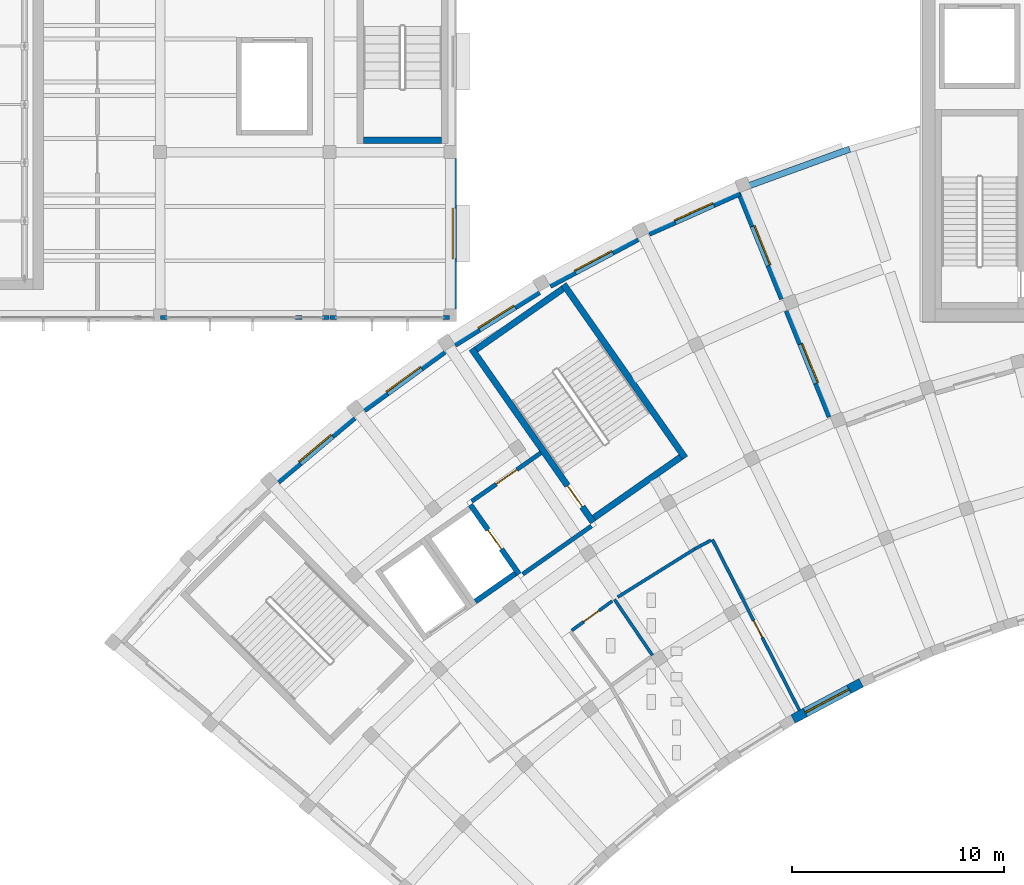
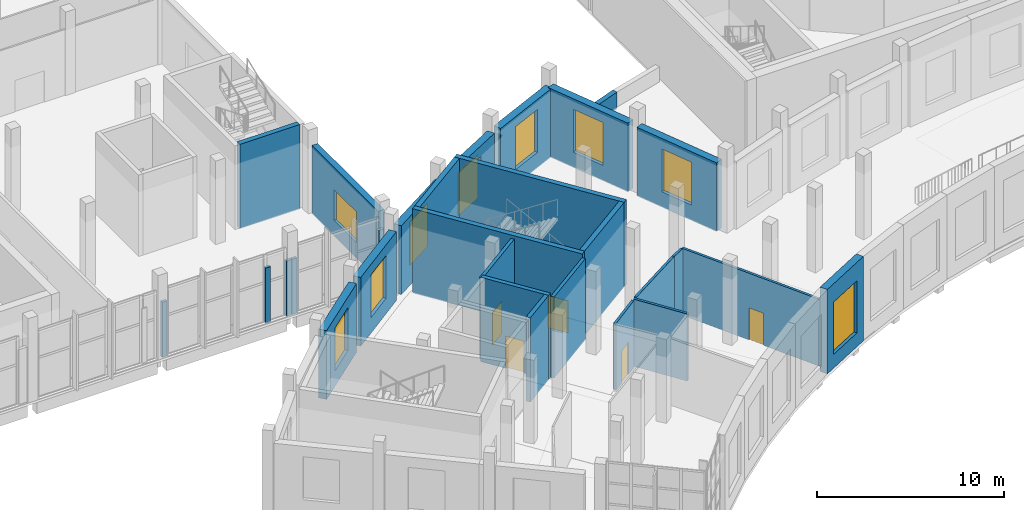
# One storey, part 69 of 132: 29 walls, 9 windows, 5 doors, 14 openings.
"""IFC4 building model written with IfcOpenShell, lengths in metres."""

import ifcopenshell
import ifcopenshell.guid

model = None  # the IFC model being written
_history = None  # IfcOwnerHistory: only IFC2X3 demands one
_inside = {}  # id of a spatial element -> (the spatial element, [elements in it])
_under = {}  # id of a project, library or spatial element -> (it, [spatial elements below it])
_declared = {}  # id of a project -> (the project, [libraries it declares])
_typed = {}  # id of a type object -> (the type object, [elements of that type])
_made_of = {}  # id of a material, layer set ... -> (it, [elements and type objects made of it])


def new_model(schema):
    """Start an empty IFC model of exactly this schema.

    Asked for "IFC4X3", IfcOpenShell would pick the latest addendum, in which some entities
    have other attributes; the version numbers below select the first issue.
    IFC2X3 requires an IfcOwnerHistory on every rooted entity: one is made here for all.
    """
    global model, _history
    if schema == "IFC4X3":
        model = ifcopenshell.file(schema_version=(4, 3, 0, 0))
    else:
        model = ifcopenshell.file(schema=schema)
    _inside.clear()
    _under.clear()
    _declared.clear()
    _typed.clear()
    _made_of.clear()
    _history = None
    if model.schema == "IFC2X3":
        org = make("IfcOrganization", Name="unknown")
        user = make(
            "IfcPersonAndOrganization",
            ThePerson=make("IfcPerson", FamilyName="unknown"),
            TheOrganization=org,
        )
        app = make(
            "IfcApplication",
            ApplicationDeveloper=org,
            Version="unknown",
            ApplicationFullName="unknown",
            ApplicationIdentifier="unknown",
        )
        _history = make(
            "IfcOwnerHistory",
            OwningUser=user,
            OwningApplication=app,
            ChangeAction="ADDED",
            CreationDate=0,
        )
    return model


def make(cls, **values):
    """One entity of the class cls with the attributes given. An attribute that is None is left unset."""
    return model.create_entity(
        cls, **{name: value for name, value in values.items() if value is not None}
    )


def rooted(cls, **values):
    """An entity with a GlobalId (a new one), such as an element, a storey or a relation."""
    return make(cls, GlobalId=ifcopenshell.guid.new(), OwnerHistory=_history, **values)


def si_unit(unit_type, name, prefix=None):
    """IfcSIUnit, for example si_unit("LENGTHUNIT", "METRE", prefix="MILLI")."""
    return make("IfcSIUnit", UnitType=unit_type, Prefix=prefix, Name=name)


def assignment(units):
    """IfcUnitAssignment: the units of a project."""
    return None if units is None else make("IfcUnitAssignment", Units=units)


def point(xyz):
    """IfcCartesianPoint."""
    return None if xyz is None else make("IfcCartesianPoint", Coordinates=xyz)


def direction(xyz):
    """IfcDirection."""
    return None if xyz is None else make("IfcDirection", DirectionRatios=xyz)


def frame(location, z_axis=None, x_axis=None):
    """IfcAxis2Placement3D, a coordinate frame: its origin and axes. An axis left out is left unset."""
    return make(
        "IfcAxis2Placement3D",
        Location=point(location),
        Axis=direction(z_axis),
        RefDirection=direction(x_axis),
    )


def frame_2d(location, x_axis=None):
    """IfcAxis2Placement2D, a coordinate frame in the plane: its origin and x axis."""
    return make(
        "IfcAxis2Placement2D", Location=point(location), RefDirection=direction(x_axis)
    )


def origin():
    """The frame at (0, 0, 0) with its axes left unset."""
    return frame((0.0, 0.0, 0.0))


def place(relative_to, where):
    """IfcLocalPlacement: puts the frame where relative to a parent placement (None: the world)."""
    return make(
        "IfcLocalPlacement", PlacementRelTo=relative_to, RelativePlacement=where
    )


def context(
    kind, dimensions, precision=None, world=None, true_north=None, identifier=None
):
    """IfcGeometricRepresentationContext, for example the 3D "Model" context."""
    return make(
        "IfcGeometricRepresentationContext",
        ContextIdentifier=identifier,
        ContextType=kind,
        CoordinateSpaceDimension=dimensions,
        Precision=precision,
        WorldCoordinateSystem=world,
        TrueNorth=true_north,
    )


def subcontext(parent, identifier, kind, view, scale=None):
    """IfcGeometricRepresentationSubContext, for example "Body" below "Model"."""
    return make(
        "IfcGeometricRepresentationSubContext",
        ContextIdentifier=identifier,
        ContextType=kind,
        ParentContext=parent,
        TargetScale=scale,
        TargetView=view,
    )


def project(units=None, contexts=None):
    """IfcProject with its units and contexts."""
    return rooted(
        "IfcProject",
        Name="project",
        RepresentationContexts=contexts,
        UnitsInContext=assignment(units),
    )


def spatial(cls, under=None, at=None, **own):
    """A site, building, storey or space (cls), placed at a placement, below another one or the project."""
    s = rooted(cls, ObjectPlacement=at, **own)
    if under is not None:
        _under.setdefault(under.id(), (under, []))[1].append(s)
    return s


def profile(cls, at=None, kind="AREA", **sizes):
    """A parametric profile (cls). Its sizes go by their IFC names, for example OverallWidth=200.0."""
    return make(cls, ProfileType=kind, Position=at, **sizes)


def rectangle(**sizes):
    """IfcRectangleProfileDef."""
    return profile("IfcRectangleProfileDef", **sizes)


def extrude(swept, where, along, depth):
    """IfcExtrudedAreaSolid: the profile swept, set in the frame where, extruded along a direction by depth."""
    return make(
        "IfcExtrudedAreaSolid",
        SweptArea=swept,
        Position=where,
        ExtrudedDirection=direction(along),
        Depth=depth,
    )


def shape(context_of_items, identifier, shape_type, items):
    """IfcShapeRepresentation: the items that make up one representation, for example the "Body"."""
    return make(
        "IfcShapeRepresentation",
        ContextOfItems=context_of_items,
        RepresentationIdentifier=identifier,
        RepresentationType=shape_type,
        Items=items,
    )


def material(Name=None, Category=None):
    """IfcMaterial."""
    return make("IfcMaterial", Name=Name, Category=Category)


def layer(
    of_material, thickness, ventilated=None, Name=None, Category=None, Priority=None
):
    """IfcMaterialLayer: one layer of a wall or slab, of a material (None: an air gap)."""
    return make(
        "IfcMaterialLayer",
        Material=of_material,
        LayerThickness=thickness,
        IsVentilated=ventilated,
        Name=Name,
        Category=Category,
        Priority=Priority,
    )


def layer_set(layers, Name=None):
    """IfcMaterialLayerSet."""
    return make("IfcMaterialLayerSet", MaterialLayers=layers, LayerSetName=Name)


def made_of(thing, what):
    """Note that an element or type object is made of a material, layer set ...; save() writes the relation."""
    if what is not None:
        _made_of.setdefault(what.id(), (what, []))[1].append(thing)
    return thing


def type_object(cls, material=None, **own):
    """A type object (cls), such as IfcWallType, which elements share."""
    return made_of(rooted(cls, **own), material)


def element(
    cls,
    number,
    at=None,
    inside=None,
    cuts=None,
    type_object=None,
    material=None,
    context=None,
    identifier="Body",
    shape_type=None,
    held_by="IfcProductDefinitionShape",
    body=None,
    shapes=None,
    **own,
):
    """One element of the class cls, such as IfcWall. Its Tag is "e" and its number.

    at: its placement. inside: the storey or other place that contains it. cuts: it is an
    opening in that element (IfcRelVoidsElement). A single representation is given by context,
    identifier, shape_type and body (its items); several are given by shapes. held_by: the class
    of the entity that holds the representations. save() writes the other relations.
    """
    e = rooted(cls, Tag="e%d" % number, ObjectPlacement=at, **own)
    if body is not None:
        shapes = [shape(context, identifier, shape_type, body)]
    if shapes is not None:
        e.Representation = make(held_by, Representations=shapes)
    if inside is not None:
        _inside.setdefault(inside.id(), (inside, []))[1].append(e)
    if cuts is not None:
        rooted(
            "IfcRelVoidsElement", RelatingBuildingElement=cuts, RelatedOpeningElement=e
        )
    if type_object is not None:
        _typed.setdefault(type_object.id(), (type_object, []))[1].append(e)
    return made_of(e, material)


def fill(opening, filler):
    """IfcRelFillsElement: the door or window that sits in an opening."""
    return rooted(
        "IfcRelFillsElement",
        RelatingOpeningElement=opening,
        RelatedBuildingElement=filler,
    )


def aggregate(whole, parts):
    """IfcRelAggregates: a whole, such as a stair, and the parts it consists of."""
    return rooted("IfcRelAggregates", RelatingObject=whole, RelatedObjects=parts)


def save(model, path):
    """Write the relations noted so far, then the file.

    IfcRelAggregates (storeys below a building ...), IfcRelContainedInSpatialStructure (elements
    in a storey), IfcRelDefinesByType, IfcRelAssociatesMaterial and IfcRelDeclares: one each for
    every whole, place, type object, material and project.
    """
    for whole, parts in _under.values():
        aggregate(whole, parts)
    for where, things in _inside.values():
        rooted(
            "IfcRelContainedInSpatialStructure",
            RelatedElements=things,
            RelatingStructure=where,
        )
    for kind, things in _typed.values():
        rooted("IfcRelDefinesByType", RelatedObjects=things, RelatingType=kind)
    for what, things in _made_of.values():
        rooted("IfcRelAssociatesMaterial", RelatedObjects=things, RelatingMaterial=what)
    for by, libraries in _declared.values():
        rooted("IfcRelDeclares", RelatingContext=by, RelatedDefinitions=libraries)
    model.write(path)


model = new_model("IFC4")

# Units and contexts
model_context = context("Model", 3, precision=1e-05, world=origin(), true_north=direction((0.0, 1.0)))
body_context = subcontext(model_context, "Body", "Model", "MODEL_VIEW")
ifc_project = project(units=[si_unit("LENGTHUNIT", "METRE"), si_unit("AREAUNIT", "SQUARE_METRE"), si_unit("VOLUMEUNIT", "CUBIC_METRE"), si_unit("PLANEANGLEUNIT", "RADIAN"), si_unit("MASSUNIT", "GRAM", prefix="KILO")], contexts=[model_context])

# Site, building, storey
site_placement = place(None, origin())
site = spatial("IfcSite", under=ifc_project, at=site_placement, CompositionType="ELEMENT")
building_placement = place(site_placement, origin())
building = spatial("IfcBuilding", under=site, at=building_placement, Name="Lunette Opera House", CompositionType="ELEMENT")
storey_placement = place(building_placement, frame((0.0, 0.0, 17.0)))
storey = spatial("IfcBuildingStorey", under=building, at=storey_placement, Name="L03", CompositionType="ELEMENT", Elevation=17.0)

# Wall, opening, window
ifc_material_1 = material(Name="Clinker brick", Category="masonry")
ifc_layer_1 = layer(ifc_material_1, 0.449951171875)
ifc_layer_set_1 = layer_set([ifc_layer_1], Name="Clinker brick")
wall_type_1 = type_object("IfcWallType", Name="ARM RAIN SCREEN WALL 450", PredefinedType="SOLIDWALL", material=ifc_layer_set_1)
wall_1_placement = place(storey_placement, frame((45.527099609375, 56.5048828125, 0.0), z_axis=(0.0, 0.0, 1.0), x_axis=(0.765928460401, 0.642925807187, 0.0)))
wall_1 = element("IfcWall", 1, at=wall_1_placement, inside=storey, type_object=wall_type_1, Name="Arm Rain Screen Wall 450 BW-CW03 L03", PredefinedType="SOLIDWALL", context=body_context, shape_type="SweptSolid", body=[
    extrude(rectangle(XDim=4.688232421875, YDim=0.449951171875, at=frame_2d((2.34423828125, 0.0))), origin(), (0.0, 0.0, 1.0), 4.47998046875),
])
opening_1_placement = place(wall_1_placement, frame((1.343994140625, 0.0, 1.0)))
opening_1 = element("IfcOpeningElement", 2, at=opening_1_placement, cuts=wall_1, Name="Opening FC-N2119", PredefinedType="OPENING", context=body_context, shape_type="SweptSolid", body=[
    extrude(rectangle(XDim=2.0, YDim=2.800048828125, at=frame_2d((1.0, 1.39990234375))), frame((0.0, 0.237060546875, 0.0), z_axis=(0.0, -1.0, 0.0), x_axis=(1.0, 0.0, 0.0)), (0.0, 0.0, 1.0), 0.473876953125),
])
ifc_material_2 = material(Name="Aluminium", Category="aluminium")
window_type_1 = type_object("IfcWindowType", Name="ARM WINDOW 2000 X 2800", PartitioningType="DOUBLE_PANEL_VERTICAL", PredefinedType="WINDOW", material=ifc_material_2)
window_1_placement = place(opening_1_placement, origin())
window_1 = element("IfcWindow", 3, at=window_1_placement, inside=storey, type_object=window_type_1, Name="Arm Window 2000 X 2800 BW-CW03 L03", OverallHeight=2.800048828125, OverallWidth=2.0, PartitioningType="DOUBLE_PANEL_VERTICAL", PredefinedType="WINDOW", context=body_context, shape_type="SweptSolid", body=[
    extrude(rectangle(XDim=2.0, YDim=2.800048828125, at=frame_2d((1.0, 1.39990234375))), frame((0.0, 0.030029296875, 0.0), z_axis=(0.0, -1.0, 0.0), x_axis=(1.0, 0.0, 0.0)), (0.0, 0.0, 1.0), 0.06005859375),
])
fill(opening_1, window_1)

wall_2_placement = place(storey_placement, frame((49.591064453125, 59.887939453125, 0.0), z_axis=(0.0, 0.0, 1.0), x_axis=(0.808981453193, 0.587834167423, 0.0)))
wall_2 = element("IfcWall", 4, at=wall_2_placement, inside=storey, type_object=wall_type_1, Name="Arm Rain Screen Wall 450 BW-CW04 L03", PredefinedType="SOLIDWALL", context=body_context, shape_type="SweptSolid", body=[
    extrude(rectangle(XDim=4.6884765625, YDim=0.449951171875, at=frame_2d((2.34423828125, 0.0))), origin(), (0.0, 0.0, 1.0), 4.47998046875),
])
opening_2_placement = place(wall_2_placement, frame((1.343994140625, 0.0, 1.0)))
opening_2 = element("IfcOpeningElement", 5, at=opening_2_placement, cuts=wall_2, Name="Opening FC-N2124", PredefinedType="OPENING", context=body_context, shape_type="SweptSolid", body=[
    extrude(rectangle(XDim=2.0, YDim=2.800048828125, at=frame_2d((1.0, 1.39990234375))), frame((0.0, 0.237060546875, 0.0), z_axis=(0.0, -1.0, 0.0), x_axis=(1.0, 0.0, 0.0)), (0.0, 0.0, 1.0), 0.473876953125),
])
window_2_placement = place(opening_2_placement, origin())
window_2 = element("IfcWindow", 6, at=window_2_placement, inside=storey, type_object=window_type_1, Name="Arm Window 2000 X 2800 BW-CW04 L03", OverallHeight=2.800048828125, OverallWidth=2.0, PartitioningType="DOUBLE_PANEL_VERTICAL", PredefinedType="WINDOW", context=body_context, shape_type="SweptSolid", body=[
    extrude(rectangle(XDim=2.0, YDim=2.800048828125, at=frame_2d((1.0, 1.39990234375))), frame((0.0, 0.030029296875, 0.0), z_axis=(0.0, -1.0, 0.0), x_axis=(1.0, 0.0, 0.0)), (0.0, 0.0, 1.0), 0.06005859375),
])
fill(opening_2, window_2)

wall_3_placement = place(storey_placement, frame((53.881103515625, 62.97900390625, 0.0), z_axis=(0.0, 0.0, 1.0), x_axis=(0.848094792162, 0.529844527676, 0.0)))
wall_3 = element("IfcWall", 7, at=wall_3_placement, inside=storey, type_object=wall_type_1, Name="Arm Rain Screen Wall 450 BW-CW05 L03", PredefinedType="SOLIDWALL", context=body_context, shape_type="SweptSolid", body=[
    extrude(rectangle(XDim=4.690185546875, YDim=0.449951171875, at=frame_2d((2.34521484375, 0.0))), origin(), (0.0, 0.0, 1.0), 4.47998046875),
])
opening_3_placement = place(wall_3_placement, frame((1.344970703125, 0.0, 1.0)))
opening_3 = element("IfcOpeningElement", 8, at=opening_3_placement, cuts=wall_3, Name="Opening FC-N2128", PredefinedType="OPENING", context=body_context, shape_type="SweptSolid", body=[
    extrude(rectangle(XDim=2.0, YDim=2.800048828125, at=frame_2d((1.0, 1.39990234375))), frame((0.0, 0.237060546875, 0.0), z_axis=(0.0, -1.0, 0.0), x_axis=(1.0, 0.0, 0.0)), (0.0, 0.0, 1.0), 0.473876953125),
])
window_3_placement = place(opening_3_placement, origin())
window_3 = element("IfcWindow", 9, at=window_3_placement, inside=storey, type_object=window_type_1, Name="Arm Window 2000 X 2800 BW-CW05 L03", OverallHeight=2.800048828125, OverallWidth=2.0, PartitioningType="DOUBLE_PANEL_VERTICAL", PredefinedType="WINDOW", context=body_context, shape_type="SweptSolid", body=[
    extrude(rectangle(XDim=2.0, YDim=2.800048828125, at=frame_2d((1.0, 1.39990234375))), frame((0.0, 0.030029296875, 0.0), z_axis=(0.0, -1.0, 0.0), x_axis=(1.0, 0.0, 0.0)), (0.0, 0.0, 1.0), 0.06005859375),
])
fill(opening_3, window_3)

wall_4_placement = place(storey_placement, frame((58.3779296875, 65.763916015625, 0.0), z_axis=(0.0, 0.0, 1.0), x_axis=(0.882917406039, 0.469528331535, 0.0)))
wall_4 = element("IfcWall", 10, at=wall_4_placement, inside=storey, type_object=wall_type_1, Name="Arm Rain Screen Wall 450 BW-CW06 L03", PredefinedType="SOLIDWALL", context=body_context, shape_type="SweptSolid", body=[
    extrude(rectangle(XDim=4.68798828125, YDim=0.449951171875, at=frame_2d((2.343994140625, 0.0))), origin(), (0.0, 0.0, 1.0), 4.47998046875),
])
opening_4_placement = place(wall_4_placement, frame((1.343994140625, 0.0, 1.0)))
opening_4 = element("IfcOpeningElement", 11, at=opening_4_placement, cuts=wall_4, Name="Opening FC-N2133", PredefinedType="OPENING", context=body_context, shape_type="SweptSolid", body=[
    extrude(rectangle(XDim=2.0, YDim=2.800048828125, at=frame_2d((1.0, 1.39990234375))), frame((0.0, 0.237060546875, 0.0), z_axis=(0.0, -1.0, 0.0), x_axis=(1.0, 0.0, 0.0)), (0.0, 0.0, 1.0), 0.473876953125),
])
window_4_placement = place(opening_4_placement, origin())
window_4 = element("IfcWindow", 12, at=window_4_placement, inside=storey, type_object=window_type_1, Name="Arm Window 2000 X 2800 BW-CW06 L03", OverallHeight=2.800048828125, OverallWidth=2.0, PartitioningType="DOUBLE_PANEL_VERTICAL", PredefinedType="WINDOW", context=body_context, shape_type="SweptSolid", body=[
    extrude(rectangle(XDim=2.0, YDim=2.800048828125, at=frame_2d((1.0, 1.39990234375))), frame((0.0, 0.030029296875, 0.0), z_axis=(0.0, -1.0, 0.0), x_axis=(1.0, 0.0, 0.0)), (0.0, 0.0, 1.0), 0.06005859375),
])
fill(opening_4, window_4)

wall_5_placement = place(storey_placement, frame((63.055908203125, 68.22802734375, 0.0), z_axis=(0.0, 0.0, 1.0), x_axis=(0.913581686159, 0.406655262741, 0.0)))
wall_5 = element("IfcWall", 13, at=wall_5_placement, inside=storey, type_object=wall_type_1, Name="Arm Rain Screen Wall 450 BW-CW07 L03", PredefinedType="SOLIDWALL", context=body_context, shape_type="SweptSolid", body=[
    extrude(rectangle(XDim=4.689453125, YDim=0.449951171875, at=frame_2d((2.3447265625, 0.0))), origin(), (0.0, 0.0, 1.0), 4.449951171875),
])
opening_5_placement = place(wall_5_placement, frame((1.344970703125, 0.0, 1.0)))
opening_5 = element("IfcOpeningElement", 14, at=opening_5_placement, cuts=wall_5, Name="Opening FC-N2138", PredefinedType="OPENING", context=body_context, shape_type="SweptSolid", body=[
    extrude(rectangle(XDim=2.0, YDim=2.800048828125, at=frame_2d((1.0, 1.39990234375))), frame((0.0, 0.237060546875, 0.0), z_axis=(0.0, -1.0, 0.0), x_axis=(1.0, 0.0, 0.0)), (0.0, 0.0, 1.0), 0.473876953125),
])
window_5_placement = place(opening_5_placement, origin())
window_5 = element("IfcWindow", 15, at=window_5_placement, inside=storey, type_object=window_type_1, Name="Arm Window 2000 X 2800 BW-CW07 L03", OverallHeight=2.800048828125, OverallWidth=2.0, PartitioningType="DOUBLE_PANEL_VERTICAL", PredefinedType="WINDOW", context=body_context, shape_type="SweptSolid", body=[
    extrude(rectangle(XDim=2.0, YDim=2.800048828125, at=frame_2d((1.0, 1.39990234375))), frame((0.0, 0.030029296875, 0.0), z_axis=(0.0, -1.0, 0.0), x_axis=(1.0, 0.0, 0.0)), (0.0, 0.0, 1.0), 0.06005859375),
])
fill(opening_5, window_5)

ifc_material_3 = material(Name="Clinker brick", Category="masonry")
ifc_layer_2 = layer(ifc_material_3, 0.449951171875)
ifc_layer_set_2 = layer_set([ifc_layer_2], Name="Clinker brick")
wall_type_2 = type_object("IfcWallType", Name="ARM REAR WALL 450", PredefinedType="SOLIDWALL", material=ifc_layer_set_2)
wall_6_placement = place(storey_placement, frame((71.7041015625, 59.533935546875, 0.0), z_axis=(0.0, 0.0, 1.0), x_axis=(-0.374638700041, 0.927170882001, 0.0)))
wall_6 = element("IfcWall", 16, at=wall_6_placement, inside=storey, type_object=wall_type_2, Name="Arm Rear Wall 450 F02 L03", PredefinedType="SOLIDWALL", context=body_context, shape_type="SweptSolid", body=[
    extrude(rectangle(XDim=5.400390625, YDim=0.449951171875, at=frame_2d((2.7001953125, 0.0))), origin(), (0.0, 0.0, 1.0), 4.47998046875),
])
opening_6_placement = place(wall_6_placement, frame((1.699951171875, 0.0, 1.0)))
opening_6 = element("IfcOpeningElement", 17, at=opening_6_placement, cuts=wall_6, Name="Opening FC-N2178", PredefinedType="OPENING", context=body_context, shape_type="SweptSolid", body=[
    extrude(rectangle(XDim=2.0, YDim=2.800048828125, at=frame_2d((1.0, 1.39990234375))), frame((0.0, 0.237060546875, 0.0), z_axis=(0.0, -1.0, 0.0), x_axis=(1.0, 0.0, 0.0)), (0.0, 0.0, 1.0), 0.473876953125),
])
window_6_placement = place(opening_6_placement, origin())
window_6 = element("IfcWindow", 18, at=window_6_placement, inside=storey, type_object=window_type_1, Name="Arm Window 2000 X 2800 F02 L03", OverallHeight=2.800048828125, OverallWidth=2.0, PartitioningType="DOUBLE_PANEL_VERTICAL", PredefinedType="WINDOW", context=body_context, shape_type="SweptSolid", body=[
    extrude(rectangle(XDim=2.0, YDim=2.800048828125, at=frame_2d((1.0, 1.39990234375))), frame((0.0, 0.030029296875, 0.0), z_axis=(0.0, -1.0, 0.0), x_axis=(1.0, 0.0, 0.0)), (0.0, 0.0, 1.0), 0.06005859375),
])
fill(opening_6, window_6)

wall_7_placement = place(storey_placement, frame((69.45703125, 65.096923828125, 0.0), z_axis=(0.0, 0.0, 1.0), x_axis=(-0.374755279764, 0.927123767514, 0.0)))
wall_7 = element("IfcWall", 19, at=wall_7_placement, inside=storey, type_object=wall_type_2, Name="Arm Rear Wall 450 F03 L03", PredefinedType="SOLIDWALL", context=body_context, shape_type="SweptSolid", body=[
    extrude(rectangle(XDim=5.400634765625, YDim=0.449951171875, at=frame_2d((2.7001953125, 0.0))), origin(), (0.0, 0.0, 1.0), 4.47998046875),
])
opening_7_placement = place(wall_7_placement, frame((1.699951171875, 0.0, 1.0)))
opening_7 = element("IfcOpeningElement", 20, at=opening_7_placement, cuts=wall_7, Name="Opening FC-N2179", PredefinedType="OPENING", context=body_context, shape_type="SweptSolid", body=[
    extrude(rectangle(XDim=2.0, YDim=2.800048828125, at=frame_2d((1.0, 1.39990234375))), frame((0.0, 0.237060546875, 0.0), z_axis=(0.0, -1.0, 0.0), x_axis=(1.0, 0.0, 0.0)), (0.0, 0.0, 1.0), 0.473876953125),
])
window_7_placement = place(opening_7_placement, origin())
window_7 = element("IfcWindow", 21, at=window_7_placement, inside=storey, type_object=window_type_1, Name="Arm Window 2000 X 2800 F03 L03", OverallHeight=2.800048828125, OverallWidth=2.0, PartitioningType="DOUBLE_PANEL_VERTICAL", PredefinedType="WINDOW", context=body_context, shape_type="SweptSolid", body=[
    extrude(rectangle(XDim=2.0, YDim=2.800048828125, at=frame_2d((1.0, 1.39990234375))), frame((0.0, 0.030029296875, 0.0), z_axis=(0.0, -1.0, 0.0), x_axis=(1.0, 0.0, 0.0)), (0.0, 0.0, 1.0), 0.06005859375),
])
fill(opening_7, window_7)

# Wall, opening, door
ifc_material_4 = material(Name="Plastered clay blockwork", Category="masonry")
ifc_layer_3 = layer(ifc_material_4, 0.14990234375)
ifc_layer_set_3 = layer_set([ifc_layer_3], Name="Plastered clay blockwork")
wall_type_3 = type_object("IfcWallType", Name="BLOCK PARTITION 150", PredefinedType="PARTITIONING", material=ifc_layer_set_3)
wall_8_placement = place(storey_placement, frame((70.18603515625, 45.64208984375, 0.0), z_axis=(0.0, 0.0, 1.0), x_axis=(-0.454012704695, 0.89099520985, 0.0)))
wall_8 = element("IfcWall", 22, at=wall_8_placement, inside=storey, type_object=wall_type_3, Name="Partition Public WC L03", PredefinedType="PARTITIONING", context=body_context, shape_type="SweptSolid", body=[
    extrude(rectangle(XDim=9.0458984375, YDim=0.14990234375, at=frame_2d((4.52294921875, 0.0))), origin(), (0.0, 0.0, 1.0), 4.35009765625),
])
opening_8_placement = place(wall_8_placement, frame((3.85107421875, 0.0, 0.0)))
opening_8 = element("IfcOpeningElement", 23, at=opening_8_placement, cuts=wall_8, Name="Opening FC-D3042", PredefinedType="OPENING", context=body_context, shape_type="SweptSolid", body=[
    extrude(rectangle(XDim=0.89990234375, YDim=2.10009765625, at=frame_2d((0.449951171875, 1.050048828125))), frame((0.0, 0.0869140625, 0.0), z_axis=(0.0, -1.0, 0.0), x_axis=(1.0, 0.0, 0.0)), (0.0, 0.0, 1.0), 0.173828125),
])
ifc_material_5 = material(Name="Timber", Category="wood")
door_type_1 = type_object("IfcDoorType", Name="FLUSH DOOR 900 X 2100", OperationType="SINGLE_SWING_LEFT", PredefinedType="DOOR", material=ifc_material_5)
door_1_placement = place(opening_8_placement, origin())
door_1 = element("IfcDoor", 24, at=door_1_placement, inside=storey, type_object=door_type_1, Name="Public WC L03 door", OperationType="SINGLE_SWING_LEFT", OverallHeight=2.10009765625, OverallWidth=0.89990234375, PredefinedType="DOOR", context=body_context, shape_type="SweptSolid", body=[
    extrude(rectangle(XDim=0.89990234375, YDim=2.10009765625, at=frame_2d((0.449951171875, 1.050048828125))), frame((0.0, 0.02490234375, 0.0), z_axis=(0.0, -1.0, 0.0), x_axis=(1.0, 0.0, 0.0)), (0.0, 0.0, 1.0), 0.050048828125),
])
fill(opening_8, door_1)

# Walls
wall_9_placement = place(storey_placement, frame((65.25, 53.260986328125, 0.0), z_axis=(0.0, 0.0, 1.0), x_axis=(-0.848001499411, -0.52999382732, 0.0)))
element("IfcWall", 25, at=wall_9_placement, inside=storey, type_object=wall_type_3, Name="Partition Public WC L03", PredefinedType="PARTITIONING", context=body_context, shape_type="SweptSolid", body=[
    extrude(rectangle(XDim=4.292236328125, YDim=0.14990234375, at=frame_2d((2.14599609375, 0.0))), origin(), (0.0, 0.0, 1.0), 4.35009765625),
])
wall_10_placement = place(storey_placement, frame((63.25, 48.23291015625, 0.0), z_axis=(0.0, 0.0, 1.0), x_axis=(-0.561879086492, 0.827219373663, 0.0)))
element("IfcWall", 26, at=wall_10_placement, inside=storey, type_object=wall_type_3, Name="Partition Accessible WC L03", PredefinedType="PARTITIONING", context=body_context, shape_type="SweptSolid", body=[
    extrude(rectangle(XDim=3.19287109375, YDim=0.14990234375, at=frame_2d((1.596435546875, 0.0))), origin(), (0.0, 0.0, 1.0), 4.3798828125),
])

# Wall, opening, door
wall_11_placement = place(storey_placement, frame((61.35009765625, 50.797119140625, 0.0), z_axis=(0.0, 0.0, 1.0), x_axis=(-0.80908456518, -0.587692237815, 0.0)))
wall_11 = element("IfcWall", 27, at=wall_11_placement, inside=storey, type_object=wall_type_3, Name="Partition Accessible WC L03", PredefinedType="PARTITIONING", context=body_context, shape_type="SweptSolid", body=[
    extrude(rectangle(XDim=2.362060546875, YDim=0.14990234375, at=frame_2d((1.18115234375, 0.0))), origin(), (0.0, 0.0, 1.0), 4.35009765625),
])
opening_9_placement = place(wall_11_placement, frame((0.76904296875, 0.0, 0.0)))
opening_9 = element("IfcOpeningElement", 28, at=opening_9_placement, cuts=wall_11, Name="Opening FC-D3043", PredefinedType="OPENING", context=body_context, shape_type="SweptSolid", body=[
    extrude(rectangle(XDim=0.89990234375, YDim=2.10009765625, at=frame_2d((0.449951171875, 1.050048828125))), frame((0.0, 0.0869140625, 0.0), z_axis=(0.0, -1.0, 0.0), x_axis=(1.0, 0.0, 0.0)), (0.0, 0.0, 1.0), 0.173828125),
])
door_2_placement = place(opening_9_placement, origin())
door_2 = element("IfcDoor", 29, at=door_2_placement, inside=storey, type_object=door_type_1, Name="Accessible WC L03 door", OperationType="SINGLE_SWING_RIGHT", OverallHeight=2.10009765625, OverallWidth=0.89990234375, PredefinedType="DOOR", context=body_context, shape_type="SweptSolid", body=[
    extrude(rectangle(XDim=0.89990234375, YDim=2.10009765625, at=frame_2d((0.449951171875, 1.050048828125))), frame((0.0, 0.02490234375, 0.0), z_axis=(0.0, -1.0, 0.0), x_axis=(1.0, 0.0, 0.0)), (0.0, 0.0, 1.0), 0.050048828125),
])
fill(opening_9, door_2)

# Wall
wall_12_placement = place(storey_placement, frame((66.011962890625, 53.6669921875, 0.0), z_axis=(0.0, 0.0, 1.0), x_axis=(-0.882532911679, -0.470250635092, 0.0)))
element("IfcWall", 30, at=wall_12_placement, inside=storey, type_object=wall_type_3, Name="Partition Public WC L03", PredefinedType="PARTITIONING", context=body_context, shape_type="SweptSolid", body=[
    extrude(rectangle(XDim=0.86328125, YDim=0.14990234375, at=frame_2d((0.431640625, 0.0))), origin(), (0.0, 0.0, 1.0), 4.35009765625),
])

# Wall, opening, window
ifc_material_6 = material(Name="Clinker brick", Category="masonry")
ifc_layer_4 = layer(ifc_material_6, 0.449951171875)
ifc_layer_set_4 = layer_set([ifc_layer_4], Name="Clinker brick")
wall_type_4 = type_object("IfcWallType", Name="CRESCENT BRICK WALL 450", PredefinedType="SOLIDWALL", material=ifc_layer_set_4)
wall_13_placement = place(storey_placement, frame((69.887939453125, 45.22802734375, 0.0), z_axis=(0.0, 0.0, 1.0), x_axis=(0.882849344925, 0.469656293651, 0.0)))
wall_13 = element("IfcWall", 31, at=wall_13_placement, inside=storey, type_object=wall_type_4, Name="Crescent Brick Wall 450 BW-A05 L03", PredefinedType="SOLIDWALL", context=body_context, shape_type="SweptSolid", body=[
    extrude(rectangle(XDim=3.64501953125, YDim=0.449951171875, at=frame_2d((1.822509765625, 0.0))), origin(), (0.0, 0.0, 1.0), 5.5),
])
opening_10_placement = place(wall_13_placement, frame((0.653076171875, 0.0, 0.89990234375)))
opening_10 = element("IfcOpeningElement", 32, at=opening_10_placement, cuts=wall_13, Name="Opening FC-N2014", PredefinedType="OPENING", context=body_context, shape_type="SweptSolid", body=[
    extrude(rectangle(XDim=2.340087890625, YDim=3.39990234375, at=frame_2d((1.169921875, 1.699951171875))), frame((0.0, 0.237060546875, 0.0), z_axis=(0.0, -1.0, 0.0), x_axis=(1.0, 0.0, 0.0)), (0.0, 0.0, 1.0), 0.473876953125),
])
ifc_material_7 = material(Name="Aluminium", Category="aluminium")
window_type_2 = type_object("IfcWindowType", Name="CHICAGO WINDOW 2340 X 3400", PartitioningType="TRIPLE_PANEL_VERTICAL", PredefinedType="WINDOW", material=ifc_material_7)
window_8_placement = place(opening_10_placement, origin())
window_8 = element("IfcWindow", 33, at=window_8_placement, inside=storey, type_object=window_type_2, Name="Chicago Window 2340 X 3400 BW-A05 L03", OverallHeight=3.39990234375, OverallWidth=2.340087890625, PartitioningType="TRIPLE_PANEL_VERTICAL", PredefinedType="WINDOW", context=body_context, shape_type="SweptSolid", body=[
    extrude(rectangle(XDim=2.340087890625, YDim=3.39990234375, at=frame_2d((1.169921875, 1.699951171875))), frame((0.0, 0.030029296875, 0.0), z_axis=(0.0, -1.0, 0.0), x_axis=(1.0, 0.0, 0.0)), (0.0, 0.0, 1.0), 0.06005859375),
])
fill(opening_10, window_8)

# Walls
ifc_material_8 = material(Name="Insulated aluminium sandwich panel", Category="aluminium")
ifc_layer_5 = layer(ifc_material_8, 0.179931640625)
ifc_layer_set_5 = layer_set([ifc_layer_5], Name="Insulated aluminium sandwich panel")
wall_type_5 = type_object("IfcWallType", Name="CURTAIN WALL INFILL 180", PredefinedType="SOLIDWALL", material=ifc_layer_set_5)
wall_14_placement = place(storey_placement, frame((46.39404296875, 64.18310546875, 0.0), z_axis=(0.0, 0.0, 1.0), x_axis=(1.0, 0.0, 0.0)))
element("IfcWall", 34, at=wall_14_placement, inside=storey, type_object=wall_type_5, Name="Curtain Wall Infill 180 IN104 L03", PredefinedType="SOLIDWALL", context=body_context, shape_type="SweptSolid", body=[
    extrude(rectangle(XDim=0.304931640625, YDim=0.179931640625, at=frame_2d((0.15234375, 0.0))), origin(), (0.0, 0.0, 1.0), 3.60009765625),
])
for number, where, z_axis, x_axis, name in (
    (35, (40.330078125, 64.18310546875, 0.0), (0.0, 0.0, 1.0), (-1.0, 0.0, 0.0), "Curtain Wall Infill 180 IN105 L03"),
    (36, (47.669921875, 64.18310546875, 0.0), (0.0, 0.0, 1.0), (1.0, 0.0, 0.0), "Curtain Wall Infill 180 IN106 L03"),
):
    element("IfcWall", number, at=place(storey_placement, frame(where, z_axis=z_axis, x_axis=x_axis)), inside=storey, type_object=wall_type_5, Name=name, PredefinedType="SOLIDWALL", context=body_context, shape_type="SweptSolid", body=[
        extrude(rectangle(XDim=0.30517578125, YDim=0.179931640625, at=frame_2d((0.152587890625, 0.0))), origin(), (0.0, 0.0, 1.0), 3.60009765625),
    ])
wall_15_placement = place(storey_placement, frame((53.3701171875, 64.18310546875, 0.0), z_axis=(0.0, 0.0, 1.0), x_axis=(1.0, 0.0, 0.0)))
element("IfcWall", 37, at=wall_15_placement, inside=storey, type_object=wall_type_5, Name="Curtain Wall Infill 180 IN107 L03", PredefinedType="SOLIDWALL", context=body_context, shape_type="SweptSolid", body=[
    extrude(rectangle(XDim=0.304931640625, YDim=0.179931640625, at=frame_2d((0.15234375, 0.0))), origin(), (0.0, 0.0, 1.0), 3.60009765625),
])
wall_16_placement = place(storey_placement, frame((48.330078125, 64.18310546875, 0.0), z_axis=(0.0, 0.0, 1.0), x_axis=(-1.0, 0.0, 0.0)))
element("IfcWall", 38, at=wall_16_placement, inside=storey, type_object=wall_type_5, Name="Curtain Wall Infill 180 IN108 L03", PredefinedType="SOLIDWALL", context=body_context, shape_type="SweptSolid", body=[
    extrude(rectangle(XDim=0.30517578125, YDim=0.179931640625, at=frame_2d((0.152587890625, 0.0))), origin(), (0.0, 0.0, 1.0), 3.60009765625),
])

# Wall, opening, door
ifc_material_9 = material(Name="Concrete C35/45", Category="concrete")
ifc_layer_6 = layer(ifc_material_9, 0.199951171875)
ifc_layer_set_6 = layer_set([ifc_layer_6], Name="Concrete C35/45")
wall_type_6 = type_object("IfcWallType", Name="LOBBY WALL 200", PredefinedType="PARTITIONING", material=ifc_layer_set_6)
wall_17_placement = place(storey_placement, frame((57.98388671875, 57.797119140625, 0.0), z_axis=(0.0, 0.0, 1.0), x_axis=(-0.819125561737, -0.573614255497, 0.0)))
wall_17 = element("IfcWall", 39, at=wall_17_placement, inside=storey, type_object=wall_type_6, Name="FL2 lobby wall 2a", PredefinedType="PARTITIONING", context=body_context, shape_type="SweptSolid", body=[
    extrude(rectangle(XDim=3.990478515625, YDim=0.199951171875, at=frame_2d((1.9951171875, 0.0))), origin(), (0.0, 0.0, 1.0), 5.280029296875),
])
opening_11_placement = place(wall_17_placement, frame((1.3798828125, 0.0, 0.0)))
opening_11 = element("IfcOpeningElement", 40, at=opening_11_placement, cuts=wall_17, Name="Opening FC-D7035", PredefinedType="OPENING", context=body_context, shape_type="SweptSolid", body=[
    extrude(rectangle(XDim=1.199951171875, YDim=2.10009765625, at=frame_2d((0.60009765625, 1.050048828125))), frame((0.0, 0.112060546875, 0.0), z_axis=(0.0, -1.0, 0.0), x_axis=(1.0, 0.0, 0.0)), (0.0, 0.0, 1.0), 0.223876953125),
])
ifc_material_10 = material(Name="Steel", Category="steel")
door_type_2 = type_object("IfcDoorType", Name="FIRE DOOR 1200 X 2100", OperationType="SINGLE_SWING_LEFT", PredefinedType="DOOR", material=ifc_material_10)
door_3_placement = place(opening_11_placement, origin())
door_3 = element("IfcDoor", 41, at=door_3_placement, inside=storey, type_object=door_type_2, Name="FL2 lobby door", OperationType="SINGLE_SWING_LEFT", OverallHeight=2.10009765625, OverallWidth=1.199951171875, PredefinedType="DOOR", context=body_context, shape_type="SweptSolid", body=[
    extrude(rectangle(XDim=1.199951171875, YDim=2.10009765625, at=frame_2d((0.60009765625, 1.050048828125))), frame((0.0, 0.02490234375, 0.0), z_axis=(0.0, -1.0, 0.0), x_axis=(1.0, 0.0, 0.0)), (0.0, 0.0, 1.0), 0.050048828125),
])
fill(opening_11, door_3)

# Wall
wall_18_placement = place(storey_placement, frame((57.125, 52.069091796875, 0.0), z_axis=(0.0, 0.0, 1.0), x_axis=(0.81911891796, 0.573623742744, 0.0)))
element("IfcWall", 42, at=wall_18_placement, inside=storey, type_object=wall_type_6, Name="FL2 lobby wall 4a", PredefinedType="PARTITIONING", context=body_context, shape_type="SweptSolid", body=[
    extrude(rectangle(XDim=3.958984375, YDim=0.199951171875, at=frame_2d((1.9794921875, 0.0))), origin(), (0.0, 0.0, 1.0), 5.280029296875),
])

# Wall, opening, door
ifc_material_11 = material(Name="Concrete C35/45", Category="concrete")
ifc_layer_7 = layer(ifc_material_11, 0.25)
ifc_layer_set_7 = layer_set([ifc_layer_7], Name="Concrete C35/45")
wall_type_7 = type_object("IfcWallType", Name="RC LIFT SHAFT WALL 250", PredefinedType="SOLIDWALL", material=ifc_layer_set_7)
wall_19_placement = place(storey_placement, frame((56.948974609375, 52.06689453125, 0.0), z_axis=(0.0, 0.0, 1.0), x_axis=(-0.573736768582, 0.819039755065, 0.0)))
wall_19 = element("IfcWall", 43, at=wall_19_placement, inside=storey, type_object=wall_type_7, Name="FL2 shaft wall 1", PredefinedType="SOLIDWALL", context=body_context, shape_type="SweptSolid", body=[
    extrude(rectangle(XDim=4.0, YDim=0.25, at=frame_2d((2.0, 0.0))), origin(), (0.0, 0.0, 1.0), 5.5),
])
opening_12_placement = place(wall_19_placement, frame((1.449951171875, 0.0, 0.0)))
opening_12 = element("IfcOpeningElement", 44, at=opening_12_placement, cuts=wall_19, Name="Opening FC-LD011", PredefinedType="OPENING", context=body_context, shape_type="SweptSolid", body=[
    extrude(rectangle(XDim=1.10009765625, YDim=2.10009765625, at=frame_2d((0.550048828125, 1.050048828125))), frame((0.0, 0.136962890625, 0.0), z_axis=(0.0, -1.0, 0.0), x_axis=(1.0, 0.0, 0.0)), (0.0, 0.0, 1.0), 0.27392578125),
])
ifc_material_12 = material(Name="Stainless steel", Category="steel")
door_type_3 = type_object("IfcDoorType", Name="LIFT LANDING DOOR 1100 X 2100", OperationType="DOUBLE_DOOR_SLIDING", PredefinedType="DOOR", material=ifc_material_12)
door_4_placement = place(opening_12_placement, origin())
door_4 = element("IfcDoor", 45, at=door_4_placement, inside=storey, type_object=door_type_3, Name="FL2 lift landing door", OperationType="DOUBLE_DOOR_SLIDING", OverallHeight=2.10009765625, OverallWidth=1.10009765625, PredefinedType="DOOR", context=body_context, shape_type="SweptSolid", body=[
    extrude(rectangle(XDim=1.10009765625, YDim=2.10009765625, at=frame_2d((0.550048828125, 1.050048828125))), frame((0.0, 0.02490234375, 0.0), z_axis=(0.0, -1.0, 0.0), x_axis=(1.0, 0.0, 0.0)), (0.0, 0.0, 1.0), 0.050048828125),
])
fill(opening_12, door_4)

# Walls
wall_20_placement = place(storey_placement, frame((54.889892578125, 50.779052734375, 0.0), z_axis=(0.0, 0.0, 1.0), x_axis=(0.819366508838, 0.573270027295, 0.0)))
element("IfcWall", 46, at=wall_20_placement, inside=storey, type_object=wall_type_7, Name="FL2 shaft wall 4", PredefinedType="SOLIDWALL", context=body_context, shape_type="SweptSolid", body=[
    extrude(rectangle(XDim=2.300537109375, YDim=0.25, at=frame_2d((1.150390625, 0.0))), origin(), (0.0, 0.0, 1.0), 5.5),
])
ifc_material_13 = material(Name="Concrete C35/45", Category="concrete")
ifc_layer_8 = layer(ifc_material_13, 0.300048828125)
ifc_layer_set_8 = layer_set([ifc_layer_8], Name="Concrete C35/45")
wall_type_8 = type_object("IfcWallType", Name="RC STAIR ENCLOSURE WALL 300", PredefinedType="SOLIDWALL", material=ifc_layer_set_8)
wall_21_placement = place(storey_placement, frame((49.60009765625, 72.550048828125, 0.0), z_axis=(0.0, 0.0, 1.0), x_axis=(1.0, 0.0, 0.0)))
element("IfcWall", 47, at=wall_21_placement, inside=storey, type_object=wall_type_8, Name="ST16 enclosure wall 4", PredefinedType="SOLIDWALL", context=body_context, shape_type="SweptSolid", body=[
    extrude(rectangle(XDim=3.699951171875, YDim=0.300048828125, at=frame_2d((1.85009765625, 0.0))), origin(), (0.0, 0.0, 1.0), 5.5),
])
wall_22_placement = place(storey_placement, frame((64.791015625, 57.55908203125, 0.0), z_axis=(0.0, 0.0, 1.0), x_axis=(-0.573514776444, 0.819195215563, 0.0)))
element("IfcWall", 48, at=wall_22_placement, inside=storey, type_object=wall_type_8, Name="ST2 enclosure wall 1", PredefinedType="SOLIDWALL", context=body_context, shape_type="SweptSolid", body=[
    extrude(rectangle(XDim=10.0, YDim=0.300048828125, at=frame_2d((5.0, 0.0))), origin(), (0.0, 0.0, 1.0), 5.5),
])
wall_23_placement = place(storey_placement, frame((59.01904296875, 65.5419921875, 0.0), z_axis=(0.0, 0.0, 1.0), x_axis=(-0.819160804606, -0.573563925118, 0.0)))
element("IfcWall", 49, at=wall_23_placement, inside=storey, type_object=wall_type_8, Name="ST2 enclosure wall 2", PredefinedType="SOLIDWALL", context=body_context, shape_type="SweptSolid", body=[
    extrude(rectangle(XDim=5.000244140625, YDim=0.300048828125, at=frame_2d((2.5, 0.0))), origin(), (0.0, 0.0, 1.0), 5.5),
])

# Wall, opening, door
wall_24_placement = place(storey_placement, frame((54.714111328125, 62.7109375, 0.0), z_axis=(0.0, 0.0, 1.0), x_axis=(0.573563925118, -0.819160804606, 0.0)))
wall_24 = element("IfcWall", 50, at=wall_24_placement, inside=storey, type_object=wall_type_8, Name="ST2 enclosure wall 3", PredefinedType="SOLIDWALL", context=body_context, shape_type="SweptSolid", body=[
    extrude(rectangle(XDim=10.000244140625, YDim=0.300048828125, at=frame_2d((5.0, 0.0))), origin(), (0.0, 0.0, 1.0), 5.5),
])
opening_13_placement = place(wall_24_placement, frame((7.89990234375, 0.0, 0.0)))
opening_13 = element("IfcOpeningElement", 51, at=opening_13_placement, cuts=wall_24, Name="Opening FC-D7017", PredefinedType="OPENING", context=body_context, shape_type="SweptSolid", body=[
    extrude(rectangle(XDim=1.199951171875, YDim=2.10009765625, at=frame_2d((0.60009765625, 1.050048828125))), frame((0.0, 0.162109375, 0.0), z_axis=(0.0, -1.0, 0.0), x_axis=(1.0, 0.0, 0.0)), (0.0, 0.0, 1.0), 0.323974609375),
])
door_5_placement = place(opening_13_placement, origin())
door_5 = element("IfcDoor", 52, at=door_5_placement, inside=storey, type_object=door_type_2, Name="ST2 stair door", OperationType="SINGLE_SWING_LEFT", OverallHeight=2.10009765625, OverallWidth=1.199951171875, PredefinedType="DOOR", context=body_context, shape_type="SweptSolid", body=[
    extrude(rectangle(XDim=1.199951171875, YDim=2.10009765625, at=frame_2d((0.60009765625, 1.050048828125))), frame((0.0, 0.02490234375, 0.0), z_axis=(0.0, -1.0, 0.0), x_axis=(1.0, 0.0, 0.0)), (0.0, 0.0, 1.0), 0.050048828125),
])
fill(opening_13, door_5)

# Wall
wall_25_placement = place(storey_placement, frame((60.487060546875, 54.72802734375, 0.0), z_axis=(0.0, 0.0, 1.0), x_axis=(0.819096538389, 0.573655698829, 0.0)))
element("IfcWall", 53, at=wall_25_placement, inside=storey, type_object=wall_type_8, Name="ST2 enclosure wall 4", PredefinedType="SOLIDWALL", context=body_context, shape_type="SweptSolid", body=[
    extrude(rectangle(XDim=4.999267578125, YDim=0.300048828125, at=frame_2d((2.49951171875, 0.0))), origin(), (0.0, 0.0, 1.0), 5.5),
])

# Wall, opening, window
ifc_material_14 = material(Name="Clinker brick", Category="masonry")
ifc_layer_9 = layer(ifc_material_14, 0.364990234375)
ifc_layer_set_9 = layer_set([ifc_layer_9], Name="Clinker brick")
wall_type_9 = type_object("IfcWallType", Name="REHEARSAL BRICK WALL 365", PredefinedType="SOLIDWALL", material=ifc_layer_set_9)
wall_26_placement = place(storey_placement, frame((53.818115234375, 64.60009765625, 0.0), z_axis=(0.0, 0.0, 1.0), x_axis=(0.0, 1.0, 0.0)))
wall_26 = element("IfcWall", 54, at=wall_26_placement, inside=storey, type_object=wall_type_9, Name="Rehearsal Brick Wall 365 F01 L03", PredefinedType="SOLIDWALL", context=body_context, shape_type="SweptSolid", body=[
    extrude(rectangle(XDim=7.099853515625, YDim=0.364990234375, at=frame_2d((3.5498046875, 0.0))), origin(), (0.0, 0.0, 1.0), 4.449951171875),
])
opening_14_placement = place(wall_26_placement, frame((2.35009765625, 0.0, 1.0)))
opening_14 = element("IfcOpeningElement", 55, at=opening_14_placement, cuts=wall_26, Name="Opening RW-N2037", PredefinedType="OPENING", context=body_context, shape_type="SweptSolid", body=[
    extrude(rectangle(XDim=2.39990234375, YDim=2.0, at=frame_2d((1.199951171875, 1.0))), frame((0.0, 0.194580078125, 0.0), z_axis=(0.0, -1.0, 0.0), x_axis=(1.0, 0.0, 0.0)), (0.0, 0.0, 1.0), 0.388916015625),
])
ifc_material_15 = material(Name="Aluminium", Category="aluminium")
window_type_3 = type_object("IfcWindowType", Name="REHEARSAL WINDOW 2400 X 2000", PartitioningType="DOUBLE_PANEL_VERTICAL", PredefinedType="WINDOW", material=ifc_material_15)
window_9_placement = place(opening_14_placement, origin())
window_9 = element("IfcWindow", 56, at=window_9_placement, inside=storey, type_object=window_type_3, Name="Rehearsal Window 2400 X 2000 F01 L03", OverallHeight=2.0, OverallWidth=2.39990234375, PartitioningType="DOUBLE_PANEL_VERTICAL", PredefinedType="WINDOW", context=body_context, shape_type="SweptSolid", body=[
    extrude(rectangle(XDim=2.39990234375, YDim=2.0, at=frame_2d((1.199951171875, 1.0))), frame((0.0, 0.030029296875, 0.0), z_axis=(0.0, -1.0, 0.0), x_axis=(1.0, 0.0, 0.0)), (0.0, 0.0, 1.0), 0.06005859375),
])
fill(opening_14, window_9)

# Wall
ifc_material_16 = material(Name="Clinker brick", Category="masonry")
ifc_layer_10 = layer(ifc_material_16, 0.300048828125)
ifc_layer_set_10 = layer_set([ifc_layer_10], Name="Clinker brick")
wall_type_10 = type_object("IfcWallType", Name="ROOF PARAPET WALL 300", PredefinedType="PARAPET", material=ifc_layer_set_10)
wall_27_placement = place(storey_placement, frame((72.56103515625, 72.136962890625, 0.0), z_axis=(0.0, 0.0, 1.0), x_axis=(-0.939746107859, -0.341873153031, 0.0)))
element("IfcWall", 57, at=wall_27_placement, inside=storey, type_object=wall_type_10, Name="Roof Parapet Wall 300 PA-L02-02 L03", PredefinedType="PARAPET", context=body_context, shape_type="SweptSolid", body=[
    extrude(rectangle(XDim=5.27392578125, YDim=0.300048828125, at=frame_2d((2.636962890625, 0.0))), origin(), (0.0, 0.0, 1.0), 1.10009765625),
])

save(model, "model.ifc")
